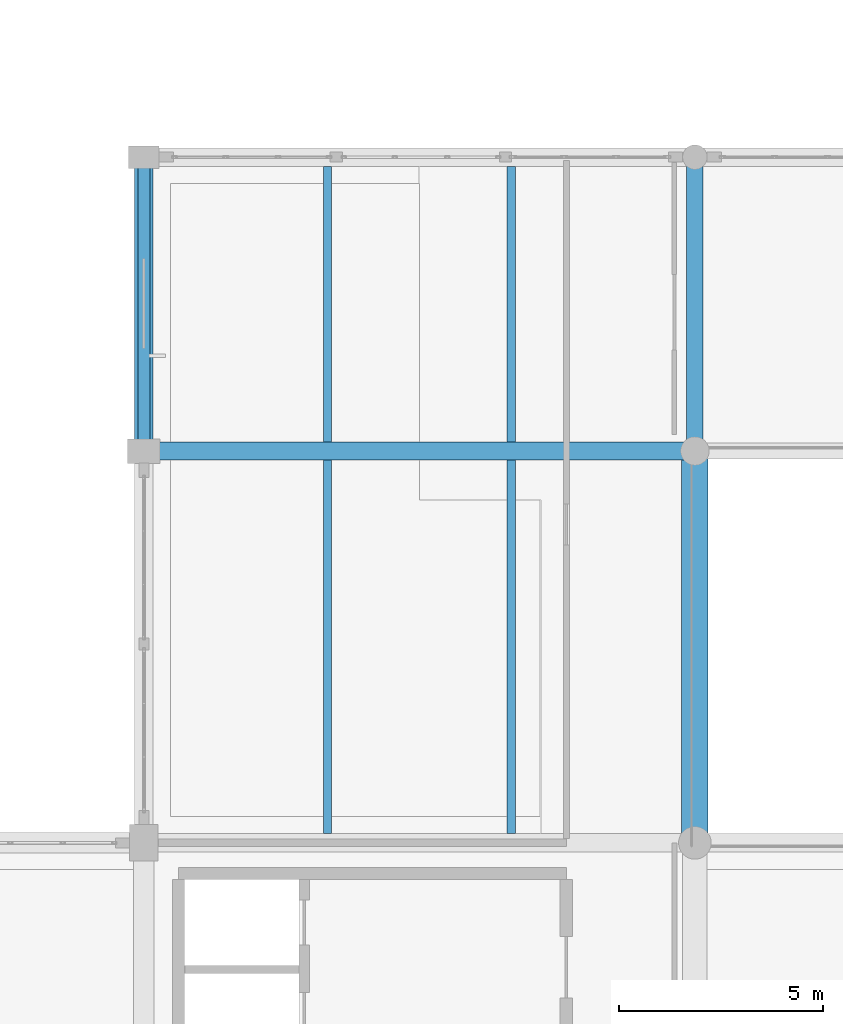
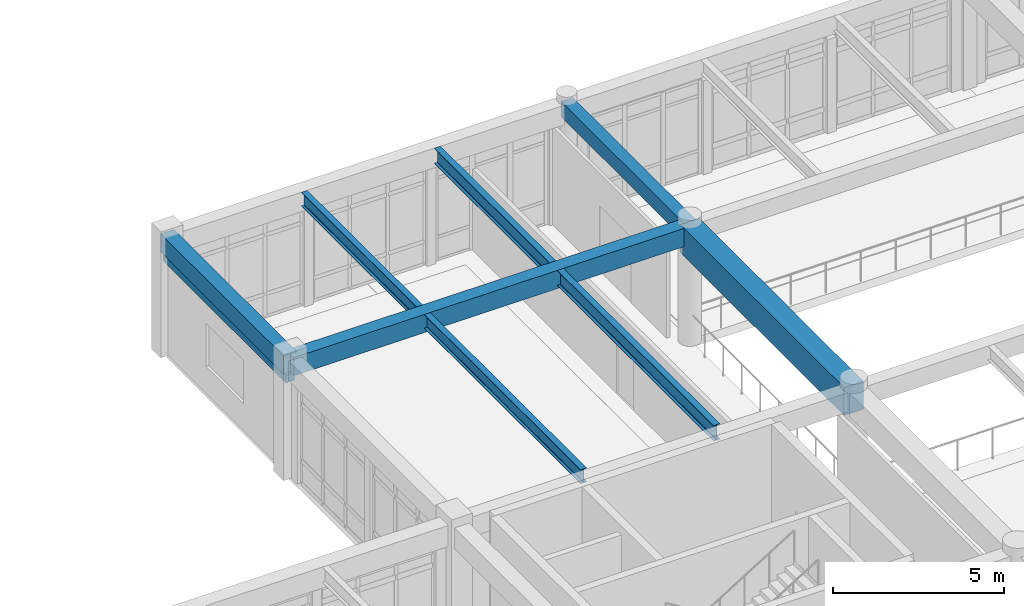
# One storey, part 15 of 109: 9 beams.
"""IFC4 building model written with IfcOpenShell, lengths in metres."""

from ifc_helpers import new_model, si_unit, direction, frame, origin, origin_2d, place, context, subcontext, project, spatial, rectangle, i_section, extrude, material, material_profile, profile_set, type_object, element, save


model = new_model("IFC4")

# Units and contexts
model_context = context("Model", 3, precision=1e-05, world=origin(), true_north=direction((0.0, 1.0)))
body_context = subcontext(model_context, "Body", "Model", "MODEL_VIEW")
ifc_project = project(units=[si_unit("LENGTHUNIT", "METRE"), si_unit("AREAUNIT", "SQUARE_METRE"), si_unit("VOLUMEUNIT", "CUBIC_METRE"), si_unit("PLANEANGLEUNIT", "RADIAN"), si_unit("MASSUNIT", "GRAM", prefix="KILO")], contexts=[model_context])

# Site, building, storey
site_placement = place(None, origin())
site = spatial("IfcSite", under=ifc_project, at=site_placement, CompositionType="ELEMENT")
building_placement = place(site_placement, origin())
building = spatial("IfcBuilding", under=site, at=building_placement, Name="Fikremerkos Civic Library", CompositionType="ELEMENT")
storey_placement = place(building_placement, frame((0.0, 0.0, 5.39990234375)))
storey = spatial("IfcBuildingStorey", under=building, at=storey_placement, Name="L01", CompositionType="ELEMENT", Elevation=5.39990234375)

# Beams
ifc_material_1 = material(Name="Steel S355", Category="steel")
ifc_material_profile_1 = material_profile(ifc_material_1, i_section(OverallWidth=0.2099609375, OverallDepth=0.550048828125, WebThickness=0.010986328125, FlangeThickness=0.01708984375, FilletRadius=0.02392578125, at=origin_2d()), Name="IPE 550")
ifc_profile_set_1 = profile_set([ifc_material_profile_1], Name="Steel S355")
beam_type_1 = type_object("IfcBeamType", Name="Floor joist JS-05 IPE 550", PredefinedType="JOIST", material=ifc_profile_set_1)
beam_1_placement = place(storey_placement, frame((55.199951171875, 31.425048828125, 3.945068359375), z_axis=(0.0, 1.0, 0.0), x_axis=(-1.0, 0.0, 0.0)))
element("IfcBeam", 1, at=beam_1_placement, inside=storey, type_object=beam_type_1, Name="Floor joist JS-05 L01 #421", PredefinedType="JOIST", context=body_context, shape_type="SweptSolid", body=[
    extrude(i_section(OverallWidth=0.2099609375, OverallDepth=0.550048828125, WebThickness=0.010986328125, FlangeThickness=0.01708984375, FilletRadius=0.02392578125, at=origin_2d()), origin(), (0.0, 0.0, 1.0), 9.14990234375),
])
beam_2_placement = place(storey_placement, frame((55.199951171875, 41.02490234375, 3.945068359375), z_axis=(0.0, 1.0, 0.0), x_axis=(-1.0, 0.0, 0.0)))
element("IfcBeam", 2, at=beam_2_placement, inside=storey, type_object=beam_type_1, Name="Floor joist JS-05 L01 #423", PredefinedType="JOIST", context=body_context, shape_type="SweptSolid", body=[
    extrude(i_section(OverallWidth=0.2099609375, OverallDepth=0.550048828125, WebThickness=0.010986328125, FlangeThickness=0.01708984375, FilletRadius=0.02392578125, at=origin_2d()), origin(), (0.0, 0.0, 1.0), 6.75),
])
ifc_material_profile_2 = material_profile(ifc_material_1, i_section(OverallWidth=0.199951171875, OverallDepth=0.5, WebThickness=0.01025390625, FlangeThickness=0.01611328125, FilletRadius=0.02099609375, at=origin_2d()), Name="IPE 500")
ifc_profile_set_2 = profile_set([ifc_material_profile_2], Name="Steel S355")
beam_type_2 = type_object("IfcBeamType", Name="Floor joist JS-06 IPE 500", PredefinedType="JOIST", material=ifc_profile_set_2)
beam_3_placement = place(storey_placement, frame((50.699951171875, 31.425048828125, 3.97021484375), z_axis=(0.0, 1.0, 0.0), x_axis=(-1.0, 0.0, 0.0)))
element("IfcBeam", 3, at=beam_3_placement, inside=storey, type_object=beam_type_2, Name="Floor joist JS-06 L01 #420", PredefinedType="JOIST", context=body_context, shape_type="SweptSolid", body=[
    extrude(i_section(OverallWidth=0.199951171875, OverallDepth=0.5, WebThickness=0.01025390625, FlangeThickness=0.01611328125, FilletRadius=0.02099609375, at=origin_2d()), origin(), (0.0, 0.0, 1.0), 9.14990234375),
])
beam_4_placement = place(storey_placement, frame((50.699951171875, 41.02490234375, 3.97021484375), z_axis=(0.0, 1.0, 0.0), x_axis=(-1.0, 0.0, 0.0)))
element("IfcBeam", 4, at=beam_4_placement, inside=storey, type_object=beam_type_2, Name="Floor joist JS-06 L01 #422", PredefinedType="JOIST", context=body_context, shape_type="SweptSolid", body=[
    extrude(i_section(OverallWidth=0.199951171875, OverallDepth=0.5, WebThickness=0.01025390625, FlangeThickness=0.01611328125, FilletRadius=0.02099609375, at=origin_2d()), origin(), (0.0, 0.0, 1.0), 6.75),
])
ifc_material_2 = material(Name="Concrete C40/50", Category="concrete")
ifc_material_profile_3 = material_profile(ifc_material_2, rectangle(XDim=0.300048828125, YDim=0.260009765625, at=origin_2d()), Name="RC 300x260")
ifc_profile_set_3 = profile_set([ifc_material_profile_3], Name="Concrete C40/50")
beam_type_3 = type_object("IfcBeamType", Name="Opening lintel LNT-02 RC 300x260", PredefinedType="LINTEL", material=ifc_profile_set_3)
beam_5_placement = place(storey_placement, frame((46.199951171875, 40.800048828125, 3.360107421875), z_axis=(0.0, 1.0, 0.0), x_axis=(-1.0, 0.0, 0.0)))
element("IfcBeam", 5, at=beam_5_placement, inside=storey, type_object=beam_type_3, Name="Courtyard window head lintel LNT-02 L01 #18", PredefinedType="LINTEL", context=body_context, shape_type="SweptSolid", body=[
    extrude(rectangle(XDim=0.300048828125, YDim=0.260009765625, at=origin_2d()), origin(), (0.0, 0.0, 1.0), 7.199951171875),
])
ifc_material_profile_4 = material_profile(ifc_material_2, rectangle(XDim=0.449951171875, YDim=0.64990234375, at=origin_2d()), Name="RC 450x650")
ifc_profile_set_4 = profile_set([ifc_material_profile_4], Name="Concrete C40/50")
beam_type_4 = type_object("IfcBeamType", Name="Primary girder BM-07 RC 450x650", PredefinedType="BEAM", material=ifc_profile_set_4)
beam_6_placement = place(storey_placement, frame((46.199951171875, 40.800048828125, 3.89501953125), z_axis=(1.0, 0.0, 0.0), x_axis=(0.0, 1.0, 0.0)))
element("IfcBeam", 6, at=beam_6_placement, inside=storey, type_object=beam_type_4, Name="Primary girder BM-07 L01 grid H", PredefinedType="BEAM", context=body_context, shape_type="SweptSolid", body=[
    extrude(rectangle(XDim=0.449951171875, YDim=0.64990234375, at=origin_2d()), origin(), (0.0, 0.0, 1.0), 13.5),
])
beam_7_placement = place(storey_placement, frame((46.199951171875, 40.800048828125, 3.89501953125), z_axis=(0.0, 1.0, 0.0), x_axis=(-1.0, 0.0, 0.0)))
element("IfcBeam", 7, at=beam_7_placement, inside=storey, type_object=beam_type_4, Name="Primary girder BM-07 L01 grid 5", PredefinedType="BEAM", context=body_context, shape_type="SweptSolid", body=[
    extrude(rectangle(XDim=0.449951171875, YDim=0.64990234375, at=origin_2d()), origin(), (0.0, 0.0, 1.0), 7.199951171875),
])
ifc_material_3 = material(Name="Concrete C45/55", Category="concrete")
ifc_material_profile_5 = material_profile(ifc_material_3, rectangle(XDim=0.64990234375, YDim=1.0, at=origin_2d()), Name="RC 650x1000")
ifc_profile_set_5 = profile_set([ifc_material_profile_5], Name="Concrete C45/55")
beam_type_5 = type_object("IfcBeamType", Name="Primary girder BM-25 RC 650x1000", PredefinedType="BEAM", material=ifc_profile_set_5)
beam_8_placement = place(storey_placement, frame((59.699951171875, 31.199951171875, 3.72021484375), z_axis=(0.0, 1.0, 0.0), x_axis=(-1.0, 0.0, 0.0)))
element("IfcBeam", 8, at=beam_8_placement, inside=storey, type_object=beam_type_5, Name="Primary girder BM-25 L01 grid 6", PredefinedType="BEAM", context=body_context, shape_type="SweptSolid", body=[
    extrude(rectangle(XDim=0.64990234375, YDim=1.0, at=origin_2d()), origin(), (0.0, 0.0, 1.0), 9.60009765625),
])
ifc_material_profile_6 = material_profile(ifc_material_2, rectangle(XDim=0.39990234375, YDim=0.550048828125, at=origin_2d()), Name="RC 400x550")
ifc_profile_set_6 = profile_set([ifc_material_profile_6], Name="Concrete C40/50")
beam_type_6 = type_object("IfcBeamType", Name="Primary girder BM-26 RC 400x550", PredefinedType="BEAM", material=ifc_profile_set_6)
beam_9_placement = place(storey_placement, frame((59.699951171875, 40.800048828125, 3.945068359375), z_axis=(0.0, 1.0, 0.0), x_axis=(-1.0, 0.0, 0.0)))
element("IfcBeam", 9, at=beam_9_placement, inside=storey, type_object=beam_type_6, Name="Primary girder BM-26 L01 grid 6", PredefinedType="BEAM", context=body_context, shape_type="SweptSolid", body=[
    extrude(rectangle(XDim=0.39990234375, YDim=0.550048828125, at=origin_2d()), origin(), (0.0, 0.0, 1.0), 7.199951171875),
])

save(model, "model.ifc")
